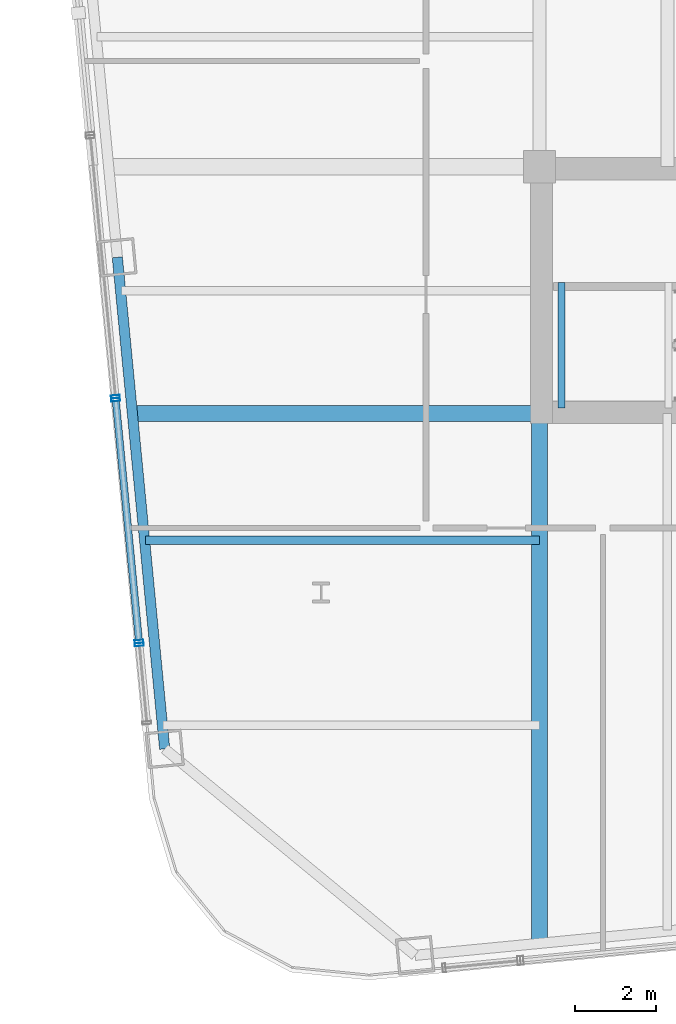
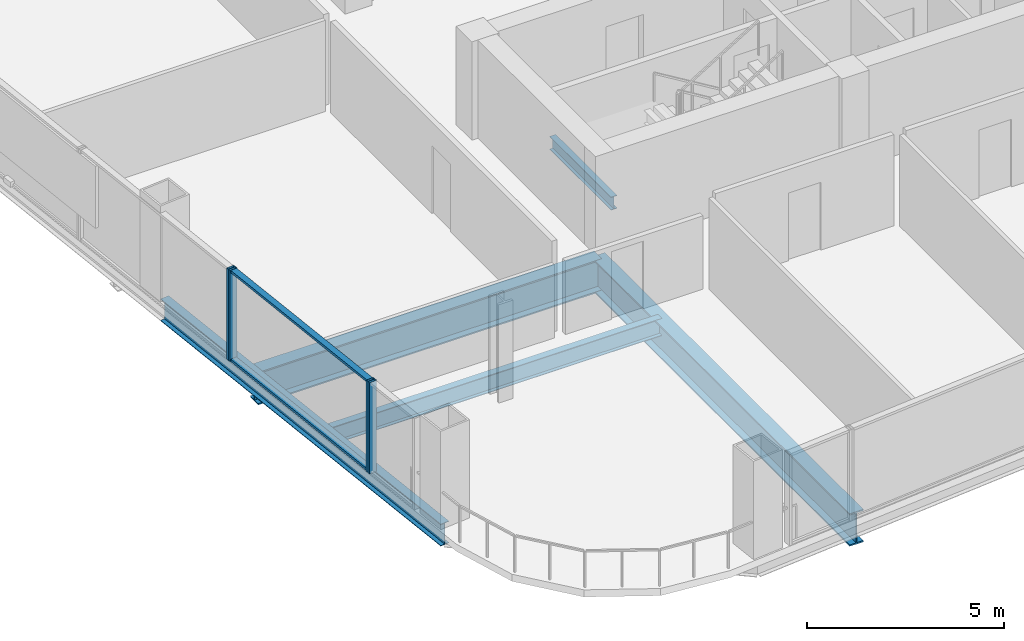
# One storey, part 3 of 34: 6 members, 5 beams, 3 elements without a shape of their own.
"""IFC4 building model written with IfcOpenShell, lengths in metres."""

from ifc_helpers import new_model, si_unit, direction, frame, origin, origin_2d, place, context, subcontext, project, spatial, hollow_rectangle, i_section, extrude, material, layer, layer_set, material_profile, profile_set, type_object, element, aggregate, save


model = new_model("IFC4")

# Units and contexts
model_context = context("Model", 3, precision=1e-05, world=origin(), true_north=direction((0.0, 1.0)))
body_context = subcontext(model_context, "Body", "Model", "MODEL_VIEW")
ifc_project = project(units=[si_unit("LENGTHUNIT", "METRE"), si_unit("AREAUNIT", "SQUARE_METRE"), si_unit("VOLUMEUNIT", "CUBIC_METRE"), si_unit("PLANEANGLEUNIT", "RADIAN"), si_unit("MASSUNIT", "GRAM", prefix="KILO")], contexts=[model_context])

# Site, building, storey
site_placement = place(None, origin())
site = spatial("IfcSite", under=ifc_project, at=site_placement, CompositionType="ELEMENT")
building_placement = place(site_placement, origin())
building = spatial("IfcBuilding", under=site, at=building_placement, Name="Qhalaya Broadcast Tower", CompositionType="ELEMENT")
storey_placement = place(building_placement, frame((0.0, 0.0, 78.60009765625)))
storey = spatial("IfcBuildingStorey", under=building, at=storey_placement, Name="L22", CompositionType="ELEMENT", Elevation=78.60009765625)

# Beams
ifc_material_1 = material(Name="Structural Steel ASTM A992 Grade 50", Category="steel")
ifc_material_profile_1 = material_profile(ifc_material_1, i_section(OverallWidth=0.2099609375, OverallDepth=0.535888671875, WebThickness=0.010986328125, FlangeThickness=0.017333984375, at=origin_2d()), Name="W21X68")
ifc_profile_set_1 = profile_set([ifc_material_profile_1], Name="Structural Steel ASTM A992 Grade 50")
beam_type_1 = type_object("IfcBeamType", Name="Composite Floor Joist J02", PredefinedType="JOIST", material=ifc_profile_set_1)
beam_1_placement = place(storey_placement, frame((-19.164794921875, -11.89990234375, -0.488037109375), z_axis=(1.0, 0.0, 0.0), x_axis=(0.0, 1.0, 0.0)))
element("IfcBeam", 1, at=beam_1_placement, inside=storey, type_object=beam_type_1, Name="L22 J02 L22-JWE2W-1", PredefinedType="JOIST", context=body_context, shape_type="SweptSolid", body=[
    extrude(i_section(OverallWidth=0.2099609375, OverallDepth=0.535888671875, WebThickness=0.010986328125, FlangeThickness=0.017333984375, at=origin_2d()), origin(), (0.0, 0.0, 1.0), 9.789794921875),
])
ifc_material_profile_2 = material_profile(ifc_material_1, i_section(OverallWidth=0.40087890625, OverallDepth=1.010986328125, WebThickness=0.023681640625, FlangeThickness=0.0419921875, at=origin_2d()), Name="W40X297")
ifc_profile_set_2 = profile_set([ifc_material_profile_2], Name="Structural Steel ASTM A992 Grade 50")
beam_type_2 = type_object("IfcBeamType", Name="Lower Block Primary Girder PG2", PredefinedType="USERDEFINED", material=ifc_profile_set_2)
beam_2_placement = place(storey_placement, frame((-9.375, -21.89501953125, -0.7255859375), z_axis=(0.0, 1.0, 0.0), x_axis=(-1.0, 0.0, 0.0)))
element("IfcBeam", 2, at=beam_2_placement, inside=storey, type_object=beam_type_2, Name="L22 PG2 L22-PGXS1-1", ObjectType="GIRDER", PredefinedType="USERDEFINED", context=body_context, shape_type="SweptSolid", body=[
    extrude(i_section(OverallWidth=0.40087890625, OverallDepth=1.010986328125, WebThickness=0.023681640625, FlangeThickness=0.0419921875, at=origin_2d()), origin(), (0.0, 0.0, 1.0), 13.14501953125),
])
beam_3_placement = place(storey_placement, frame((-19.468017578125, -8.75, -0.7255859375), z_axis=(1.0, 0.0, 0.0), x_axis=(0.0, 1.0, 0.0)))
element("IfcBeam", 3, at=beam_3_placement, inside=storey, type_object=beam_type_2, Name="L22 PG2 L22-PGYW1-1", ObjectType="GIRDER", PredefinedType="USERDEFINED", context=body_context, shape_type="SweptSolid", body=[
    extrude(i_section(OverallWidth=0.40087890625, OverallDepth=1.010986328125, WebThickness=0.023681640625, FlangeThickness=0.0419921875, at=origin_2d()), origin(), (0.0, 0.0, 1.0), 10.093017578125),
])
ifc_material_profile_3 = material_profile(ifc_material_1, i_section(OverallWidth=0.25390625, OverallDepth=0.68310546875, WebThickness=0.012451171875, FlangeThickness=0.01904296875, at=origin_2d()), Name="W27X94")
ifc_profile_set_3 = profile_set([ifc_material_profile_3], Name="Structural Steel ASTM A992 Grade 50")
beam_type_3 = type_object("IfcBeamType", Name="Perimeter Ring Spandrel Beam SP1", PredefinedType="SPANDREL", material=ifc_profile_set_3)
beam_4_placement = place(storey_placement, frame((-19.861083984375, -4.875, -0.5615234375), z_axis=(0.095831866369, -0.995397535354, 0.0), x_axis=(0.995397535354, 0.095831866369, 0.0)))
element("IfcBeam", 4, at=beam_4_placement, inside=storey, type_object=beam_type_3, Name="L22 SP1 L22-SPR-15", PredefinedType="SPANDREL", context=body_context, shape_type="SweptSolid", body=[
    extrude(i_section(OverallWidth=0.25390625, OverallDepth=0.68310546875, WebThickness=0.012451171875, FlangeThickness=0.01904296875, at=origin_2d()), origin(), (0.0, 0.0, 1.0), 12.2666015625),
])

# Curtain wall, member
ifc_material_2 = material(Name="Solar-Control Low-E Triple Glazing", Category="glass")
ifc_layer_1 = layer(ifc_material_2, 0.219970703125, Name="Solar-Control Low-E Triple Glazing")
ifc_layer_set_1 = layer_set([ifc_layer_1], Name="Solar-Control Low-E Triple Glazing")
curtain_wall_type_1 = type_object("IfcCurtainWallType", Name="Even-Block 4-Storey Double-Module Curtain Wall CW-03", PredefinedType="NOTDEFINED", material=ifc_layer_set_1)
curtain_wall_1_placement = place(storey_placement, origin())
curtain_wall_1 = element("IfcCurtainWall", 5, at=curtain_wall_1_placement, inside=storey, type_object=curtain_wall_type_1, Name="L22 Unitised Curtain Wall L22-CW-W5", PredefinedType="NOTDEFINED")
ifc_material_3 = material(Name="Anodised Aluminium 6063-T6", Category="aluminium")
ifc_material_profile_4 = material_profile(ifc_material_3, hollow_rectangle(XDim=0.074951171875, YDim=0.219970703125, WallThickness=0.00390625, at=origin_2d()), Name="ALU-MUL 75x220x4")
ifc_profile_set_4 = profile_set([ifc_material_profile_4], Name="Anodised Aluminium 6063-T6")
member_type_1 = type_object("IfcMemberType", Name="Unitised Curtain-Wall Mullion M01", PredefinedType="MULLION", material=ifc_profile_set_4)
member_1_placement = place(storey_placement, frame((-19.90966796875, -8.336669921875, 0.0), z_axis=(0.0, 0.0, 1.0), x_axis=(0.095852453314, -0.995395553131, 0.0)))
member_1 = element("IfcMember", 6, at=member_1_placement, type_object=member_type_1, Name="CW-03 mullion 2", PredefinedType="MULLION", context=body_context, shape_type="SweptSolid", body=[
    extrude(hollow_rectangle(XDim=0.074951171875, YDim=0.219970703125, WallThickness=0.00390625, at=origin_2d()), origin(), (0.0, 0.0, 1.0), 2.829833984375),
])
aggregate(curtain_wall_1, [member_1])

# Curtain wall, members
ifc_material_4 = material(Name="Fired Architectural Terracotta", Category="masonry")
ifc_layer_2 = layer(ifc_material_4, 0.219970703125, Name="Fired Architectural Terracotta")
ifc_layer_set_2 = layer_set([ifc_layer_2], Name="Fired Architectural Terracotta")
curtain_wall_type_2 = type_object("IfcCurtainWallType", Name="Block-Cap Unitised Terracotta Spandrel Wall CW-07", PredefinedType="NOTDEFINED", material=ifc_layer_set_2)
curtain_wall_2_placement = place(storey_placement, origin())
curtain_wall_2 = element("IfcCurtainWall", 7, at=curtain_wall_2_placement, inside=storey, type_object=curtain_wall_type_2, Name="L22 Unitised Curtain Wall L22-CW-W6", PredefinedType="NOTDEFINED")
member_2_placement = place(storey_placement, frame((-19.90234375, -8.411376953125, 0.0), z_axis=(0.0, 0.0, 1.0), x_axis=(0.095841848125, -0.99539657431, 0.0)))
member_2 = element("IfcMember", 8, at=member_2_placement, type_object=member_type_1, Name="CW-07 mullion 1", PredefinedType="MULLION", context=body_context, shape_type="SweptSolid", body=[
    extrude(hollow_rectangle(XDim=0.074951171875, YDim=0.219970703125, WallThickness=0.00390625, at=origin_2d()), origin(), (0.0, 0.0, 1.0), 2.829833984375),
])
member_3_placement = place(storey_placement, frame((-19.323974609375, -14.41748046875, 0.0), z_axis=(0.0, 0.0, 1.0), x_axis=(0.095841848125, -0.99539657431, 0.0)))
member_3 = element("IfcMember", 9, at=member_3_placement, type_object=member_type_1, Name="CW-07 mullion 2", PredefinedType="MULLION", context=body_context, shape_type="SweptSolid", body=[
    extrude(hollow_rectangle(XDim=0.074951171875, YDim=0.219970703125, WallThickness=0.00390625, at=origin_2d()), origin(), (0.0, 0.0, 1.0), 2.829833984375),
])

# Curtain wall, member
curtain_wall_3_placement = place(storey_placement, origin())
curtain_wall_3 = element("IfcCurtainWall", 10, at=curtain_wall_3_placement, inside=storey, type_object=curtain_wall_type_1, Name="L22 Unitised Curtain Wall L22-CW-W7", PredefinedType="NOTDEFINED")
member_4_placement = place(storey_placement, frame((-19.31689453125, -14.4921875, 0.0), z_axis=(0.0, 0.0, 1.0), x_axis=(0.095857964978, -0.995395022366, 0.0)))
member_4 = element("IfcMember", 11, at=member_4_placement, type_object=member_type_1, Name="CW-03 mullion 1", PredefinedType="MULLION", context=body_context, shape_type="SweptSolid", body=[
    extrude(hollow_rectangle(XDim=0.074951171875, YDim=0.219970703125, WallThickness=0.00390625, at=origin_2d()), origin(), (0.0, 0.0, 1.0), 2.829833984375),
])
aggregate(curtain_wall_3, [member_4])

# Member
ifc_material_profile_5 = material_profile(ifc_material_3, hollow_rectangle(XDim=0.074951171875, YDim=0.179931640625, WallThickness=0.00390625, at=origin_2d()), Name="ALU-TRN 75x180x4")
ifc_profile_set_5 = profile_set([ifc_material_profile_5], Name="Anodised Aluminium 6063-T6")
member_type_2 = type_object("IfcMemberType", Name="Unitised Curtain-Wall Transom T01", PredefinedType="USERDEFINED", material=ifc_profile_set_5)
member_5_placement = place(storey_placement, frame((-19.89892578125, -8.44873046875, 0.037353515625), z_axis=(0.095872446542, -0.995393627664, 0.0), x_axis=(0.0, 0.0, 1.0)))
member_5 = element("IfcMember", 12, at=member_5_placement, type_object=member_type_2, Name="CW-07 transom 1.1", ObjectType="TRANSOM", PredefinedType="USERDEFINED", context=body_context, shape_type="SweptSolid", body=[
    extrude(hollow_rectangle(XDim=0.074951171875, YDim=0.179931640625, WallThickness=0.00390625, at=origin_2d()), origin(), (0.0, 0.0, 1.0), 5.958740234375),
])

member_6_placement = place(storey_placement, frame((-19.89892578125, -8.44873046875, 2.79248046875), z_axis=(0.095872446542, -0.995393627664, 0.0), x_axis=(0.0, 0.0, 1.0)))
member_6 = element("IfcMember", 13, at=member_6_placement, type_object=member_type_2, Name="CW-07 transom 1.2", ObjectType="TRANSOM", PredefinedType="USERDEFINED", context=body_context, shape_type="SweptSolid", body=[
    extrude(hollow_rectangle(XDim=0.074951171875, YDim=0.179931640625, WallThickness=0.00390625, at=origin_2d()), origin(), (0.0, 0.0, 1.0), 5.958740234375),
])

aggregate(curtain_wall_2, [member_2, member_3, member_5, member_6])

# Beam
ifc_material_profile_6 = material_profile(ifc_material_1, i_section(OverallWidth=0.177978515625, OverallDepth=0.406005859375, WebThickness=0.0078125, FlangeThickness=0.0126953125, at=origin_2d()), Name="W16X40")
ifc_profile_set_6 = profile_set([ifc_material_profile_6], Name="Structural Steel ASTM A992 Grade 50")
beam_type_4 = type_object("IfcBeamType", Name="Upper Perimeter Spandrel Beam SP2", PredefinedType="SPANDREL", material=ifc_profile_set_6)
beam_5_placement = place(storey_placement, frame((-8.830078125, -8.6201171875, 1.121826171875), z_axis=(0.0, 1.0, 0.0), x_axis=(-1.0, 0.0, 0.0)))
element("IfcBeam", 14, at=beam_5_placement, inside=storey, type_object=beam_type_4, Name="L22 ST-2 Half-Landing Bearer Beam 1", PredefinedType="SPANDREL", context=body_context, shape_type="SweptSolid", body=[
    extrude(i_section(OverallWidth=0.177978515625, OverallDepth=0.406005859375, WebThickness=0.0078125, FlangeThickness=0.0126953125, at=origin_2d()), origin(), (0.0, 0.0, 1.0), 3.1201171875),
])

save(model, "model.ifc")
